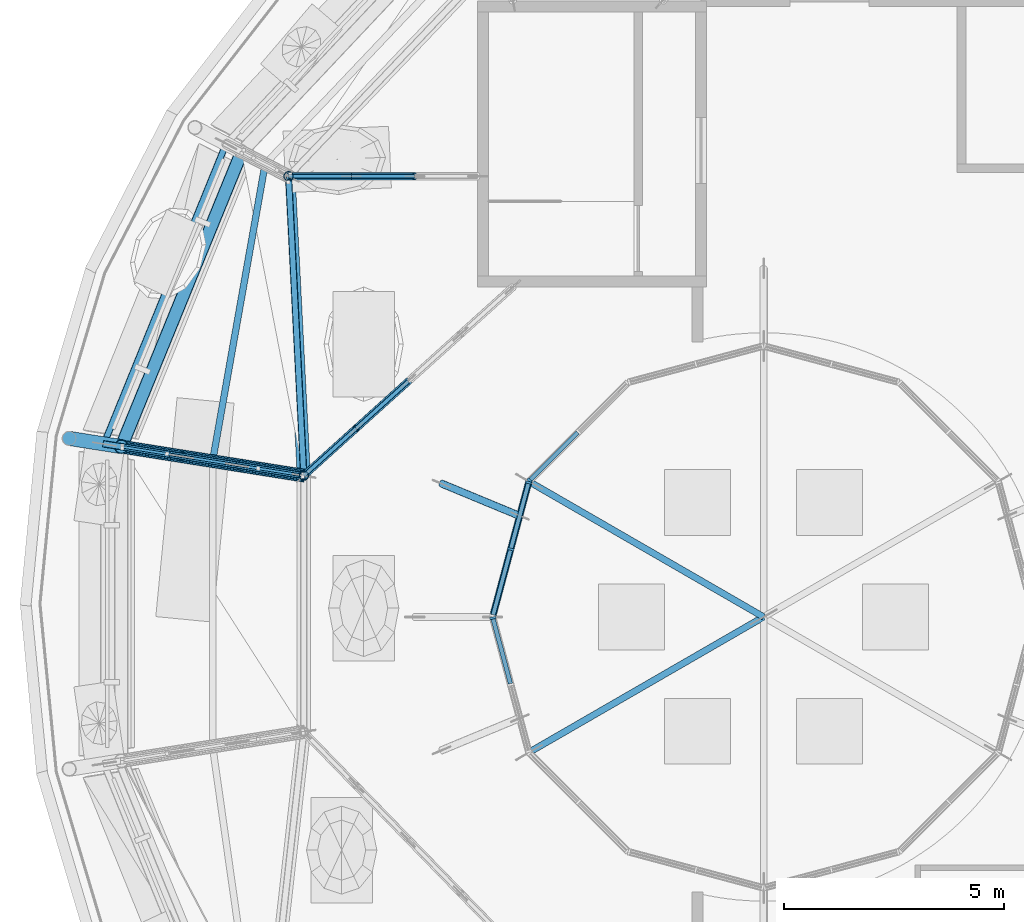
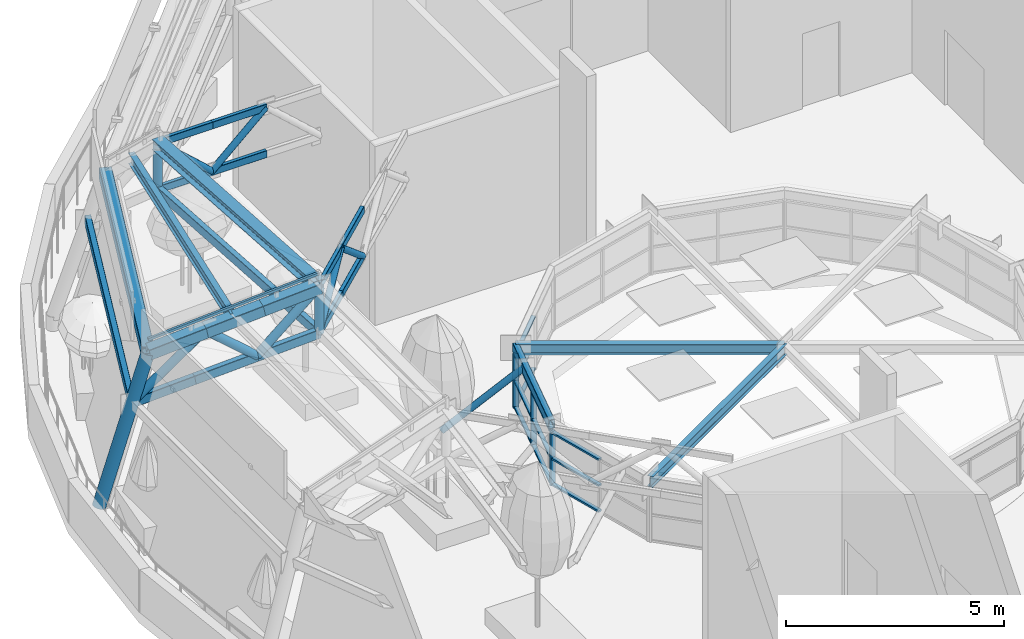
# One storey, part 7 of 40: 45 members, 5 beams, 4 elements without a shape of their own.
"""IFC4 building model written with IfcOpenShell, lengths in metres."""

from ifc_helpers import new_model, si_unit, direction, frame, origin, origin_2d, place, context, subcontext, project, spatial, rectangle, hollow_rectangle, hollow_circle, i_section, extrude, material, material_profile, profile_set, type_object, element, aggregate, save


model = new_model("IFC4")

# Units and contexts
model_context = context("Model", 3, precision=1e-05, world=origin(), true_north=direction((0.0, 1.0)))
body_context = subcontext(model_context, "Body", "Model", "MODEL_VIEW")
ifc_project = project(units=[si_unit("LENGTHUNIT", "METRE"), si_unit("AREAUNIT", "SQUARE_METRE"), si_unit("VOLUMEUNIT", "CUBIC_METRE"), si_unit("PLANEANGLEUNIT", "RADIAN"), si_unit("MASSUNIT", "GRAM", prefix="KILO")], contexts=[model_context])

# Site, building, storey
site_placement = place(None, origin())
site = spatial("IfcSite", under=ifc_project, at=site_placement, CompositionType="ELEMENT")
building_placement = place(site_placement, origin())
building = spatial("IfcBuilding", under=site, at=building_placement, Name="Taillehof Tower", CompositionType="ELEMENT")
storey_placement = place(building_placement, frame((0.0, 0.0, 275.199951171875)))
storey = spatial("IfcBuildingStorey", under=building, at=storey_placement, Name="L77", CompositionType="ELEMENT", Elevation=275.199951171875)

# Beam
ifc_material_1 = material(Name="Steel S460M", Category="steel")
ifc_material_profile_1 = material_profile(ifc_material_1, i_section(OverallWidth=0.300048828125, OverallDepth=0.2900390625, WebThickness=0.008544921875, FlangeThickness=0.013916015625, FilletRadius=0.027099609375, at=origin_2d()), Name="HEA 300")
ifc_profile_set_1 = profile_set([ifc_material_profile_1], Name="Steel S460M")
beam_type_1 = type_object("IfcBeamType", Name="Canopy apex ring beam HEA 300", PredefinedType="BEAM", material=ifc_profile_set_1)
beam_1_placement = place(storey_placement, frame((-18.79833984375, 10.018310546875, 5.10009765625), z_axis=(0.050911469236, -0.998703170266, 0.0), x_axis=(0.998703170266, 0.050911469236, 0.0)))
element("IfcBeam", 1, at=beam_1_placement, inside=storey, type_object=beam_type_1, Name="Canopy ring beam CR26", PredefinedType="BEAM", context=body_context, shape_type="SweptSolid", body=[
    extrude(i_section(OverallWidth=0.300048828125, OverallDepth=0.2900390625, WebThickness=0.008544921875, FlangeThickness=0.013916015625, FilletRadius=0.027099609375, at=origin_2d()), origin(), (0.0, 0.0, 1.0), 6.814208984375),
])

# Curtain wall, member
ifc_material_2 = material(Name="Aluminium glazing bars with clear laminated safety glass", Category="aluminium")
curtain_wall_type_1 = type_object("IfcCurtainWallType", Name="Canopy glazing", PredefinedType="NOTDEFINED", material=ifc_material_2)
curtain_wall_1_placement = place(storey_placement, origin())
curtain_wall_1 = element("IfcCurtainWall", 2, at=curtain_wall_1_placement, inside=storey, type_object=curtain_wall_type_1, Name="Canopy glazing 3", PredefinedType="NOTDEFINED")
ifc_material_3 = material(Name="Aluminium glazing bar", Category="aluminium")
ifc_material_profile_2 = material_profile(ifc_material_3, rectangle(XDim=0.06005859375, YDim=0.070068359375, at=origin_2d()), Name="AL 60x70")
ifc_profile_set_2 = profile_set([ifc_material_profile_2], Name="Aluminium glazing bar")
member_type_1 = type_object("IfcMemberType", Name="Canopy glazing bar 60x70", PredefinedType="USERDEFINED", material=ifc_profile_set_2)
member_1_placement = place(storey_placement, frame((-22.59912109375, 3.87109375, 4.658203125), z_axis=(0.970199806952, -0.153943774913, 0.187119343616), x_axis=(0.156711744977, 0.987644383868, 0.0)))
member_1 = element("IfcMember", 3, at=member_1_placement, type_object=member_type_1, Name="Canopy glazing bar 9", ObjectType="TRANSOM", PredefinedType="USERDEFINED", context=body_context, shape_type="SweptSolid", body=[
    extrude(rectangle(XDim=0.06005859375, YDim=0.070068359375, at=origin_2d()), origin(), (0.0, 0.0, 1.0), 4.275634765625),
])
aggregate(curtain_wall_1, [member_1])

# Members
ifc_material_4 = material(Name="Steel S460M", Category="steel")
ifc_material_profile_3 = material_profile(ifc_material_4, hollow_circle(Radius=0.109619140625, WallThickness=0.012451171875, at=origin_2d()), Name="CHS 219.1x12.5")
ifc_profile_set_3 = profile_set([ifc_material_profile_3], Name="Steel S460M")
member_type_2 = type_object("IfcMemberType", Name="Canopy inner ring post CHS 219.1x12.5", PredefinedType="POST", material=ifc_profile_set_3)
for number, where, z_axis, x_axis, name in (
    (4, (-18.79833984375, 10.018310546875, 3.800048828125), (0.0, 0.0, 1.0), (1.0, 0.0, 0.0), "Canopy ring post RP08"),
    (5, (-18.451416015625, 3.212890625, 3.800048828125), (0.0, 0.0, 1.0), (1.0, 0.0, 0.0), "Canopy ring post RP09"),
):
    element("IfcMember", number, at=place(storey_placement, frame(where, z_axis=z_axis, x_axis=x_axis)), inside=storey, type_object=member_type_2, Name=name, PredefinedType="POST", context=body_context, shape_type="SweptSolid", body=[
        extrude(hollow_circle(Radius=0.109619140625, WallThickness=0.012451171875, at=origin_2d()), origin(), (0.0, 0.0, 1.0), 1.300048828125),
    ])

# Beams
ifc_material_5 = material(Name="Steel S460M", Category="steel")
ifc_material_profile_4 = material_profile(ifc_material_5, hollow_rectangle(XDim=0.14990234375, YDim=0.25, WallThickness=0.010009765625, InnerFilletRadius=0.010009765625, OuterFilletRadius=0.014892578125, at=origin_2d()), Name="RHS 250x150x10")
ifc_profile_set_4 = profile_set([ifc_material_profile_4], Name="Steel S460M")
beam_type_2 = type_object("IfcBeamType", Name="Canopy lower ring beam RHS 250x150x10", PredefinedType="BEAM", material=ifc_profile_set_4)
beam_2_placement = place(storey_placement, frame((-20.218017578125, 10.756103515625, 3.0), z_axis=(-0.37697888949, -0.926221850789, 0.0), x_axis=(0.926221850789, -0.37697888949, 0.0)))
element("IfcBeam", 6, at=beam_2_placement, inside=storey, type_object=beam_type_2, Name="Canopy lower ring beam CB08", PredefinedType="BEAM", context=body_context, shape_type="SweptSolid", body=[
    extrude(hollow_rectangle(XDim=0.14990234375, YDim=0.25, WallThickness=0.010009765625, InnerFilletRadius=0.010009765625, OuterFilletRadius=0.014892578125, at=origin_2d()), origin(), (0.0, 0.0, 1.0), 7.365478515625),
])
beam_3_placement = place(storey_placement, frame((-18.79833984375, 10.018310546875, 3.800048828125), z_axis=(0.050911469236, -0.998703170266, 0.0), x_axis=(0.998703170266, 0.050911469236, 0.0)))
element("IfcBeam", 7, at=beam_3_placement, inside=storey, type_object=beam_type_2, Name="Canopy lower ring beam CB26", PredefinedType="BEAM", context=body_context, shape_type="SweptSolid", body=[
    extrude(hollow_rectangle(XDim=0.14990234375, YDim=0.25, WallThickness=0.010009765625, InnerFilletRadius=0.010009765625, OuterFilletRadius=0.014892578125, at=origin_2d()), origin(), (0.0, 0.0, 1.0), 6.814208984375),
])

# Members
ifc_material_6 = material(Name="Steel S460M", Category="steel")
ifc_material_profile_5 = material_profile(ifc_material_6, i_section(OverallWidth=0.14990234375, OverallDepth=0.300048828125, WebThickness=0.007080078125, FlangeThickness=0.0107421875, FilletRadius=0.014892578125, at=origin_2d()), Name="IPE 300")
ifc_profile_set_5 = profile_set([ifc_material_profile_5], Name="Steel S460M")
member_type_3 = type_object("IfcMemberType", Name="Canopy purlin IPE 300", PredefinedType="PURLIN", material=ifc_profile_set_5)
member_2_placement = place(storey_placement, frame((-19.33056640625, 10.294921875, 4.699951171875), z_axis=(-0.174159010109, -0.984717542851, 0.0), x_axis=(0.984717542851, -0.174159010109, 0.0)))
element("IfcMember", 8, at=member_2_placement, inside=storey, type_object=member_type_3, Name="Canopy purlin CP08", PredefinedType="PURLIN", context=body_context, shape_type="SweptSolid", body=[
    extrude(i_section(OverallWidth=0.14990234375, OverallDepth=0.300048828125, WebThickness=0.007080078125, FlangeThickness=0.0107421875, FilletRadius=0.014892578125, at=origin_2d()), origin(), (0.0, 0.0, 1.0), 6.857666015625),
])
ifc_material_7 = material(Name="Steel S460M", Category="steel")
ifc_material_profile_6 = material_profile(ifc_material_7, hollow_rectangle(XDim=0.300048828125, YDim=0.300048828125, WallThickness=0.012451171875, InnerFilletRadius=0.012451171875, OuterFilletRadius=0.018798828125, at=origin_2d()), Name="RHS 300x300x12.5")
ifc_profile_set_6 = profile_set([ifc_material_profile_6], Name="Steel S460M")
member_type_4 = type_object("IfcMemberType", Name="Canopy rafter RHS 300x300x12.5", PredefinedType="RAFTER", material=ifc_profile_set_6)
member_3_placement = place(storey_placement, frame((-22.599365234375, 3.871337890625, 4.300048828125), z_axis=(0.97019493593, -0.154018231927, 0.187083325099), x_axis=(0.156786445822, 0.987632528022, 0.0)))
element("IfcMember", 9, at=member_3_placement, inside=storey, type_object=member_type_4, Name="Canopy rafter 09 top chord 1", PredefinedType="RAFTER", context=body_context, shape_type="SweptSolid", body=[
    extrude(hollow_rectangle(XDim=0.300048828125, YDim=0.300048828125, WallThickness=0.012451171875, InnerFilletRadius=0.012451171875, OuterFilletRadius=0.018798828125, at=origin_2d()), origin(), (0.0, 0.0, 1.0), 1.425048828125),
])
member_4_placement = place(storey_placement, frame((-21.216796875, 3.65185546875, 4.566650390625), z_axis=(0.970173894871, -0.153987699769, 0.18721752597), x_axis=(0.156759444883, 0.987636814036, 0.0)))
element("IfcMember", 10, at=member_4_placement, inside=storey, type_object=member_type_4, Name="Canopy rafter 09 top chord 2", PredefinedType="RAFTER", context=body_context, shape_type="SweptSolid", body=[
    extrude(hollow_rectangle(XDim=0.300048828125, YDim=0.300048828125, WallThickness=0.012451171875, InnerFilletRadius=0.012451171875, OuterFilletRadius=0.018798828125, at=origin_2d()), origin(), (0.0, 0.0, 1.0), 1.42529296875),
])
member_5_placement = place(storey_placement, frame((-19.833984375, 3.432373046875, 4.83349609375), z_axis=(0.97019493593, -0.154018231927, 0.187083325099), x_axis=(0.156786445822, 0.987632528022, 0.0)))
element("IfcMember", 11, at=member_5_placement, inside=storey, type_object=member_type_4, Name="Canopy rafter 09 top chord 3", PredefinedType="RAFTER", context=body_context, shape_type="SweptSolid", body=[
    extrude(hollow_rectangle(XDim=0.300048828125, YDim=0.300048828125, WallThickness=0.012451171875, InnerFilletRadius=0.012451171875, OuterFilletRadius=0.018798828125, at=origin_2d()), origin(), (0.0, 0.0, 1.0), 1.425048828125),
])
ifc_material_8 = material(Name="Steel S460M", Category="steel")
ifc_material_profile_7 = material_profile(ifc_material_8, hollow_rectangle(XDim=0.14990234375, YDim=0.25, WallThickness=0.010009765625, InnerFilletRadius=0.010009765625, OuterFilletRadius=0.014892578125, at=origin_2d()), Name="RHS 250x150x10")
ifc_profile_set_7 = profile_set([ifc_material_profile_7], Name="Steel S460M")
member_type_5 = type_object("IfcMemberType", Name="Canopy rafter bottom chord RHS 250x150x10", PredefinedType="CHORD", material=ifc_profile_set_7)
for number, where, z_axis, x_axis, name in (
    (12, (-22.99462890625, 3.93408203125, 3.0), (0.973028310893, -0.154511185915, 0.171295649765), (0.156829172664, 0.987625744197, 0.0), "Canopy rafter 09 bottom chord 1"),
    (13, (-21.480224609375, 3.693603515625, 3.2666015625), (0.973025725093, -0.154353911574, 0.171452058283), (0.156673865429, 0.987650393556, 0.0), "Canopy rafter 09 bottom chord 2"),
    (14, (-19.9658203125, 3.453369140625, 3.533447265625), (0.973028310893, -0.154511185915, 0.171295649765), (0.156829172664, 0.987625744197, 0.0), "Canopy rafter 09 bottom chord 3"),
):
    element("IfcMember", number, at=place(storey_placement, frame(where, z_axis=z_axis, x_axis=x_axis)), inside=storey, type_object=member_type_5, Name=name, PredefinedType="CHORD", context=body_context, shape_type="SweptSolid", body=[
        extrude(hollow_rectangle(XDim=0.14990234375, YDim=0.25, WallThickness=0.010009765625, InnerFilletRadius=0.010009765625, OuterFilletRadius=0.014892578125, at=origin_2d()), origin(), (0.0, 0.0, 1.0), 1.556396484375),
    ])
ifc_material_9 = material(Name="Steel S460M", Category="steel")
ifc_material_profile_8 = material_profile(ifc_material_9, hollow_circle(Radius=0.109619140625, WallThickness=0.012451171875, at=origin_2d()), Name="CHS 219.1x12.5")
ifc_profile_set_8 = profile_set([ifc_material_profile_8], Name="Steel S460M")
member_type_6 = type_object("IfcMemberType", Name="Canopy rafter diagonal CHS 219.1x12.5", PredefinedType="BRACE", material=ifc_profile_set_8)
member_6_placement = place(storey_placement, frame((-22.99462890625, 3.93408203125, 3.0), z_axis=(0.744996240162, -0.118266362761, 0.656501081175), x_axis=(0.156784343343, 0.987632861787, 0.0)))
element("IfcMember", 15, at=member_6_placement, inside=storey, type_object=member_type_6, Name="Canopy rafter 09 diagonal 1", PredefinedType="BRACE", context=body_context, shape_type="SweptSolid", body=[
    extrude(hollow_circle(Radius=0.109619140625, WallThickness=0.012451171875, at=origin_2d()), origin(), (0.0, 0.0, 1.0), 2.386474609375),
])
member_7_placement = place(storey_placement, frame((-21.216796875, 3.65185546875, 4.566650390625), z_axis=(0.765320433803, -0.121429647284, -0.632091349699), x_axis=(0.156704873248, 0.987645474196, 0.0)))
element("IfcMember", 16, at=member_7_placement, inside=storey, type_object=member_type_6, Name="Canopy rafter 09 diagonal 2", PredefinedType="BRACE", context=body_context, shape_type="SweptSolid", body=[
    extrude(hollow_circle(Radius=0.109619140625, WallThickness=0.012451171875, at=origin_2d()), origin(), (0.0, 0.0, 1.0), 1.634521484375),
])
member_8_placement = place(storey_placement, frame((-19.9658203125, 3.453369140625, 3.533447265625), z_axis=(0.690821821367, -0.109698451402, 0.714654784412), x_axis=(0.156829172664, 0.987625744197, 0.0)))
element("IfcMember", 17, at=member_8_placement, inside=storey, type_object=member_type_6, Name="Canopy rafter 09 diagonal 3", PredefinedType="BRACE", context=body_context, shape_type="SweptSolid", body=[
    extrude(hollow_circle(Radius=0.109619140625, WallThickness=0.012451171875, at=origin_2d()), origin(), (0.0, 0.0, 1.0), 2.192138671875),
])
ifc_material_10 = material(Name="Steel S460M", Category="steel")
ifc_material_profile_9 = material_profile(ifc_material_10, hollow_circle(Radius=0.161865234375, WallThickness=0.01611328125, at=origin_2d()), Name="CHS 323.9x16")
ifc_profile_set_9 = profile_set([ifc_material_profile_9], Name="Steel S460M")
member_type_7 = type_object("IfcMemberType", Name="Canopy raking column CHS 323.9x16", PredefinedType="POST", material=ifc_profile_set_9)
member_9_placement = place(storey_placement, frame((-23.78466796875, 4.0595703125, 0.300048828125), z_axis=(0.2838254853, -0.045073007037, 0.957816014656), x_axis=(0.156839984557, 0.987624027272, 0.0)))
element("IfcMember", 18, at=member_9_placement, inside=storey, type_object=member_type_7, Name="Canopy raking column CC09", PredefinedType="POST", context=body_context, shape_type="SweptSolid", body=[
    extrude(hollow_circle(Radius=0.161865234375, WallThickness=0.01611328125, at=origin_2d()), origin(), (0.0, 0.0, 1.0), 4.17626953125),
])

# Beam
ifc_material_11 = material(Name="Steel S460M", Category="steel")
ifc_material_profile_10 = material_profile(ifc_material_11, hollow_rectangle(XDim=0.300048828125, YDim=0.300048828125, WallThickness=0.012451171875, InnerFilletRadius=0.012451171875, OuterFilletRadius=0.018798828125, at=origin_2d()), Name="RHS 300x300x12.5")
ifc_profile_set_10 = profile_set([ifc_material_profile_10], Name="Steel S460M")
beam_type_3 = type_object("IfcBeamType", Name="Canopy ring beam RHS 300x300x12.5", PredefinedType="BEAM", material=ifc_profile_set_10)
beam_4_placement = place(storey_placement, frame((-19.863037109375, 10.571533203125, 4.300048828125), z_axis=(-0.378081107179, -0.925772475501, 0.0), x_axis=(0.925772475501, -0.378081107179, 0.0)))
element("IfcBeam", 19, at=beam_4_placement, inside=storey, type_object=beam_type_3, Name="Canopy ring beam CR08", PredefinedType="BEAM", context=body_context, shape_type="SweptSolid", body=[
    extrude(hollow_rectangle(XDim=0.300048828125, YDim=0.300048828125, WallThickness=0.012451171875, InnerFilletRadius=0.012451171875, OuterFilletRadius=0.018798828125, at=origin_2d()), origin(), (0.0, 0.0, 1.0), 7.2373046875),
])

# Members
ifc_material_12 = material(Name="Steel S460M", Category="steel")
ifc_material_profile_11 = material_profile(ifc_material_12, hollow_rectangle(XDim=0.10009765625, YDim=0.199951171875, WallThickness=0.008056640625, InnerFilletRadius=0.008056640625, OuterFilletRadius=0.011962890625, at=origin_2d()), Name="RHS 200x100x8")
ifc_profile_set_11 = profile_set([ifc_material_profile_11], Name="Steel S460M")
member_type_8 = type_object("IfcMemberType", Name="Canopy spur chord RHS 200x100x8", PredefinedType="CHORD", material=ifc_profile_set_11)
for number, where, z_axis, x_axis, name in (
    (20, (-18.79833984375, 10.018310546875, 5.10009765625), (1.0, 0.0, 0.0), (0.0, 1.0, 0.0), "Canopy rafter S08 top chord 1"),
    (21, (-18.79833984375, 10.018310546875, 3.800048828125), (1.0, 0.0, 0.0), (0.0, 1.0, 0.0), "Canopy rafter S08 bottom chord 1"),
):
    element("IfcMember", number, at=place(storey_placement, frame(where, z_axis=z_axis, x_axis=x_axis)), inside=storey, type_object=member_type_8, Name=name, PredefinedType="CHORD", context=body_context, shape_type="SweptSolid", body=[
        extrude(hollow_rectangle(XDim=0.10009765625, YDim=0.199951171875, WallThickness=0.008056640625, InnerFilletRadius=0.008056640625, OuterFilletRadius=0.011962890625, at=origin_2d()), origin(), (0.0, 0.0, 1.0), 1.432861328125),
    ])
for number, where, z_axis, x_axis, name in (
    (22, (-17.365478515625, 10.018310546875, 5.10009765625), (1.0, 0.0, 0.0), (0.0, 1.0, 0.0), "Canopy rafter S08 top chord 2"),
    (23, (-17.365478515625, 10.018310546875, 3.800048828125), (1.0, 0.0, 0.0), (0.0, 1.0, 0.0), "Canopy rafter S08 bottom chord 2"),
):
    element("IfcMember", number, at=place(storey_placement, frame(where, z_axis=z_axis, x_axis=x_axis)), inside=storey, type_object=member_type_8, Name=name, PredefinedType="CHORD", context=body_context, shape_type="SweptSolid", body=[
        extrude(hollow_rectangle(XDim=0.10009765625, YDim=0.199951171875, WallThickness=0.008056640625, InnerFilletRadius=0.008056640625, OuterFilletRadius=0.011962890625, at=origin_2d()), origin(), (0.0, 0.0, 1.0), 1.4326171875),
    ])
for number, where, z_axis, x_axis, name in (
    (24, (-18.451416015625, 3.212890625, 5.10009765625), (0.742420885926, 0.669933749068, 0.0), (-0.669933749068, 0.742420885926, 0.0), "Canopy rafter S09 top chord 1"),
    (25, (-18.451416015625, 3.212890625, 3.800048828125), (0.742420885926, 0.669933749068, 0.0), (-0.669933749068, 0.742420885926, 0.0), "Canopy rafter S09 bottom chord 1"),
):
    element("IfcMember", number, at=place(storey_placement, frame(where, z_axis=z_axis, x_axis=x_axis)), inside=storey, type_object=member_type_8, Name=name, PredefinedType="CHORD", context=body_context, shape_type="SweptSolid", body=[
        extrude(hollow_rectangle(XDim=0.10009765625, YDim=0.199951171875, WallThickness=0.008056640625, InnerFilletRadius=0.008056640625, OuterFilletRadius=0.011962890625, at=origin_2d()), origin(), (0.0, 0.0, 1.0), 1.599853515625),
    ])
for number, where, z_axis, x_axis, name in (
    (26, (-17.263671875, 4.28466796875, 5.10009765625), (0.7424893649, 0.669857852839, 0.0), (-0.669857852839, 0.7424893649, 0.0), "Canopy rafter S09 top chord 2"),
    (27, (-17.263671875, 4.28466796875, 3.800048828125), (0.7424893649, 0.669857852839, 0.0), (-0.669857852839, 0.7424893649, 0.0), "Canopy rafter S09 bottom chord 2"),
):
    element("IfcMember", number, at=place(storey_placement, frame(where, z_axis=z_axis, x_axis=x_axis)), inside=storey, type_object=member_type_8, Name=name, PredefinedType="CHORD", context=body_context, shape_type="SweptSolid", body=[
        extrude(hollow_rectangle(XDim=0.10009765625, YDim=0.199951171875, WallThickness=0.008056640625, InnerFilletRadius=0.008056640625, OuterFilletRadius=0.011962890625, at=origin_2d()), origin(), (0.0, 0.0, 1.0), 1.60009765625),
    ])
ifc_material_13 = material(Name="Steel S460M", Category="steel")
ifc_material_profile_12 = material_profile(ifc_material_13, hollow_circle(Radius=0.084228515625, WallThickness=0.008056640625, at=origin_2d()), Name="CHS 168.3x8")
ifc_profile_set_12 = profile_set([ifc_material_profile_12], Name="Steel S460M")
member_type_9 = type_object("IfcMemberType", Name="Canopy spur diagonal CHS 168.3x8", PredefinedType="BRACE", material=ifc_profile_set_12)
member_10_placement = place(storey_placement, frame((-18.79833984375, 10.018310546875, 5.10009765625), z_axis=(0.740596354346, 0.0, -0.671950176672), x_axis=(0.0, 1.0, 0.0)))
element("IfcMember", 28, at=member_10_placement, inside=storey, type_object=member_type_9, Name="Canopy rafter S08 diagonal 1", PredefinedType="BRACE", context=body_context, shape_type="SweptSolid", body=[
    extrude(hollow_circle(Radius=0.084228515625, WallThickness=0.008056640625, at=origin_2d()), origin(), (0.0, 0.0, 1.0), 1.934814453125),
])
member_11_placement = place(storey_placement, frame((-17.365478515625, 10.018310546875, 3.800048828125), z_axis=(0.740539370404, 0.0, 0.672012976721), x_axis=(0.0, 1.0, 0.0)))
element("IfcMember", 29, at=member_11_placement, inside=storey, type_object=member_type_9, Name="Canopy rafter S08 diagonal 2", PredefinedType="BRACE", context=body_context, shape_type="SweptSolid", body=[
    extrude(hollow_circle(Radius=0.084228515625, WallThickness=0.008056640625, at=origin_2d()), origin(), (0.0, 0.0, 1.0), 1.9345703125),
])
for number, where, z_axis, x_axis, name in (
    (30, (-18.451416015625, 3.212890625, 3.800048828125), (0.576169698547, 0.519914692009, 0.630648231195), (-0.669933749068, 0.742420885926, 0.0), "Canopy rafter S09 diagonal 1"),
    (31, (-17.263671875, 4.28466796875, 5.10009765625), (0.576248806126, 0.519879214734, -0.630605197826), (-0.669857852839, 0.7424893649, 0.0), "Canopy rafter S09 diagonal 2"),
):
    element("IfcMember", number, at=place(storey_placement, frame(where, z_axis=z_axis, x_axis=x_axis)), inside=storey, type_object=member_type_9, Name=name, PredefinedType="BRACE", context=body_context, shape_type="SweptSolid", body=[
        extrude(hollow_circle(Radius=0.084228515625, WallThickness=0.008056640625, at=origin_2d()), origin(), (0.0, 0.0, 1.0), 2.0615234375),
    ])
ifc_material_14 = material(Name="Steel S460M", Category="steel")
ifc_material_profile_13 = material_profile(ifc_material_14, i_section(OverallWidth=0.14990234375, OverallDepth=0.300048828125, WebThickness=0.007080078125, FlangeThickness=0.0107421875, FilletRadius=0.014892578125, at=origin_2d()), Name="IPE 300")
ifc_profile_set_13 = profile_set([ifc_material_profile_13], Name="Steel S460M")
member_type_10 = type_object("IfcMemberType", Name="Lantern rib IPE 300", PredefinedType="BRACE", material=ifc_profile_set_13)
for number, where, z_axis, x_axis, name in (
    (32, (-13.334716796875, 3.080078125, 1.650146484375), (0.866019924591, -0.500009490121, 0.0), (0.500009490121, 0.866019924591, 0.0), "Lantern rib LB03"),
    (33, (-13.334716796875, -3.080078125, 1.650146484375), (0.866019924591, 0.500009490121, 0.0), (-0.500009490121, 0.866019924591, 0.0), "Lantern rib LB04"),
):
    element("IfcMember", number, at=place(storey_placement, frame(where, z_axis=z_axis, x_axis=x_axis)), inside=storey, type_object=member_type_10, Name=name, PredefinedType="BRACE", context=body_context, shape_type="SweptSolid", body=[
        extrude(i_section(OverallWidth=0.14990234375, OverallDepth=0.300048828125, WebThickness=0.007080078125, FlangeThickness=0.0107421875, FilletRadius=0.014892578125, at=origin_2d()), origin(), (0.0, 0.0, 1.0), 6.16015625),
    ])

# Beam
ifc_material_15 = material(Name="Steel S460M", Category="steel")
ifc_material_profile_14 = material_profile(ifc_material_15, hollow_rectangle(XDim=0.14990234375, YDim=0.25, WallThickness=0.010009765625, InnerFilletRadius=0.010009765625, OuterFilletRadius=0.014892578125, at=origin_2d()), Name="RHS 250x150x10")
ifc_profile_set_14 = profile_set([ifc_material_profile_14], Name="Steel S460M")
beam_type_4 = type_object("IfcBeamType", Name="Lantern ring beam RHS 250x150x10", PredefinedType="BEAM", material=ifc_profile_set_14)
beam_5_placement = place(storey_placement, frame((-13.334716796875, 3.080078125, 1.675048828125), z_axis=(-0.258787112499, -0.965934382039, 0.0), x_axis=(0.965934382039, -0.258787112499, 0.0)))
element("IfcBeam", 34, at=beam_5_placement, inside=storey, type_object=beam_type_4, Name="Lantern ring beam LR06", PredefinedType="BEAM", context=body_context, shape_type="SweptSolid", body=[
    extrude(hollow_rectangle(XDim=0.14990234375, YDim=0.25, WallThickness=0.010009765625, InnerFilletRadius=0.010009765625, OuterFilletRadius=0.014892578125, at=origin_2d()), origin(), (0.0, 0.0, 1.0), 3.188720703125),
])

# Member
ifc_material_16 = material(Name="Steel S460M", Category="steel")
ifc_material_profile_15 = material_profile(ifc_material_16, hollow_circle(Radius=0.084228515625, WallThickness=0.008056640625, at=origin_2d()), Name="CHS 168.3x8")
ifc_profile_set_15 = profile_set([ifc_material_profile_15], Name="Steel S460M")
member_type_11 = type_object("IfcMemberType", Name="Lantern strut CHS 168.3x8", PredefinedType="STRUT", material=ifc_profile_set_15)
member_12_placement = place(storey_placement, frame((-15.31982421875, 3.031982421875, 0.064453125), z_axis=(0.708027740233, -0.293299347212, 0.642395681793), x_axis=(0.382710891507, 0.923868158084, 0.0)))
element("IfcMember", 35, at=member_12_placement, inside=storey, type_object=member_type_11, Name="Lantern strut LS04", PredefinedType="STRUT", context=body_context, shape_type="SweptSolid", body=[
    extrude(hollow_circle(Radius=0.084228515625, WallThickness=0.008056640625, at=origin_2d()), origin(), (0.0, 0.0, 1.0), 2.507080078125),
])

# Curtain wall, member
ifc_material_17 = material(Name="Aluminium curtain wall with Clear low-emissivity double glazing", Category="aluminium")
curtain_wall_type_2 = type_object("IfcCurtainWallType", Name="Roof lantern curtain wall", PredefinedType="USERDEFINED", material=ifc_material_17)
curtain_wall_2_placement = place(storey_placement, origin())
curtain_wall_2 = element("IfcCurtainWall", 36, at=curtain_wall_2_placement, inside=storey, type_object=curtain_wall_type_2, Name="Roof lantern bay 5", ObjectType="WINDOW WALL", PredefinedType="USERDEFINED")
ifc_material_18 = material(Name="Aluminium mullion", Category="aluminium")
ifc_material_profile_16 = material_profile(ifc_material_18, rectangle(XDim=0.139892578125, YDim=0.050048828125, at=origin_2d()), Name="AL 50x140")
ifc_profile_set_16 = profile_set([ifc_material_profile_16], Name="Aluminium mullion")
member_type_12 = type_object("IfcMemberType", Name="Roof lantern mullion 50x140", PredefinedType="MULLION", material=ifc_profile_set_16)
member_13_placement = place(storey_placement, frame((-13.317138671875, 3.09765625, 0.0), z_axis=(0.0, 0.0, 1.0), x_axis=(0.707106781187, -0.707106781187, 0.0)))
member_13 = element("IfcMember", 37, at=member_13_placement, type_object=member_type_12, Name="CT705 mullion 3", PredefinedType="MULLION", context=body_context, shape_type="SweptSolid", body=[
    extrude(rectangle(XDim=0.139892578125, YDim=0.050048828125, at=origin_2d()), origin(), (0.0, 0.0, 1.0), 1.5),
])

# Curtain wall, members
curtain_wall_3_placement = place(storey_placement, origin())
curtain_wall_3 = element("IfcCurtainWall", 38, at=curtain_wall_3_placement, inside=storey, type_object=curtain_wall_type_2, Name="Roof lantern bay 6", ObjectType="WINDOW WALL", PredefinedType="USERDEFINED")
member_14_placement = place(storey_placement, frame((-13.34130859375, 3.055908203125, 0.0), z_axis=(0.0, 0.0, 1.0), x_axis=(0.965925826289, -0.258819045103, 0.0)))
member_14 = element("IfcMember", 39, at=member_14_placement, type_object=member_type_12, Name="CT706 mullion 1", PredefinedType="MULLION", context=body_context, shape_type="SweptSolid", body=[
    extrude(rectangle(XDim=0.139892578125, YDim=0.050048828125, at=origin_2d()), origin(), (0.0, 0.0, 1.0), 1.5),
])
member_15_placement = place(storey_placement, frame((-13.747314453125, 1.5400390625, 0.0), z_axis=(0.0, 0.0, 1.0), x_axis=(0.965925826289, -0.258819045103, 0.0)))
member_15 = element("IfcMember", 40, at=member_15_placement, type_object=member_type_12, Name="CT706 mullion 2", PredefinedType="MULLION", context=body_context, shape_type="SweptSolid", body=[
    extrude(rectangle(XDim=0.139892578125, YDim=0.050048828125, at=origin_2d()), origin(), (0.0, 0.0, 1.0), 1.5),
])

# Curtain wall, member
curtain_wall_4_placement = place(storey_placement, origin())
curtain_wall_4 = element("IfcCurtainWall", 41, at=curtain_wall_4_placement, inside=storey, type_object=curtain_wall_type_2, Name="Roof lantern bay 7", ObjectType="WINDOW WALL", PredefinedType="USERDEFINED")
member_16_placement = place(storey_placement, frame((-14.153564453125, -0.024169921875, 0.0), z_axis=(0.0, 0.0, 1.0), x_axis=(0.965925826289, 0.258819045103, 0.0)))
member_16 = element("IfcMember", 42, at=member_16_placement, type_object=member_type_12, Name="CT707 mullion 1", PredefinedType="MULLION", context=body_context, shape_type="SweptSolid", body=[
    extrude(rectangle(XDim=0.139892578125, YDim=0.050048828125, at=origin_2d()), origin(), (0.0, 0.0, 1.0), 1.5),
])

# Member
ifc_material_19 = material(Name="Aluminium transom", Category="aluminium")
ifc_material_profile_17 = material_profile(ifc_material_19, rectangle(XDim=0.10009765625, YDim=0.050048828125, at=origin_2d()), Name="AL 100x50")
ifc_profile_set_17 = profile_set([ifc_material_profile_17], Name="Aluminium transom")
member_type_13 = type_object("IfcMemberType", Name="Roof lantern transom 100x50", PredefinedType="USERDEFINED", material=ifc_profile_set_17)
member_17_placement = place(storey_placement, frame((-12.22509765625, 4.189697265625, 0.025146484375), z_axis=(-0.707026432709, -0.707187120535, 0.0), x_axis=(0.707187120535, -0.707026432709, 0.0)))
member_17 = element("IfcMember", 43, at=member_17_placement, type_object=member_type_13, Name="CT705 transom 2.1", ObjectType="TRANSOM", PredefinedType="USERDEFINED", context=body_context, shape_type="SweptSolid", body=[
    extrude(rectangle(XDim=0.10009765625, YDim=0.050048828125, at=origin_2d()), origin(), (0.0, 0.0, 1.0), 1.519287109375),
])

member_18_placement = place(storey_placement, frame((-12.22509765625, 4.189697265625, 0.75), z_axis=(-0.707026432709, -0.707187120535, 0.0), x_axis=(0.707187120535, -0.707026432709, 0.0)))
member_18 = element("IfcMember", 44, at=member_18_placement, type_object=member_type_13, Name="CT705 transom 2.2", ObjectType="TRANSOM", PredefinedType="USERDEFINED", context=body_context, shape_type="SweptSolid", body=[
    extrude(rectangle(XDim=0.10009765625, YDim=0.050048828125, at=origin_2d()), origin(), (0.0, 0.0, 1.0), 1.519287109375),
])

member_19_placement = place(storey_placement, frame((-12.22509765625, 4.189697265625, 1.47509765625), z_axis=(-0.707026432709, -0.707187120535, 0.0), x_axis=(0.707187120535, -0.707026432709, 0.0)))
member_19 = element("IfcMember", 45, at=member_19_placement, type_object=member_type_13, Name="CT705 transom 2.3", ObjectType="TRANSOM", PredefinedType="USERDEFINED", context=body_context, shape_type="SweptSolid", body=[
    extrude(rectangle(XDim=0.10009765625, YDim=0.050048828125, at=origin_2d()), origin(), (0.0, 0.0, 1.0), 1.519287109375),
])

aggregate(curtain_wall_2, [member_13, member_17, member_18, member_19])

member_20_placement = place(storey_placement, frame((-13.34765625, 3.03173828125, 0.025146484375), z_axis=(-0.258872629048, -0.965911466921, 0.0), x_axis=(0.965911466921, -0.258872629048, 0.0)))
member_20 = element("IfcMember", 46, at=member_20_placement, type_object=member_type_13, Name="CT706 transom 1.1", ObjectType="TRANSOM", PredefinedType="USERDEFINED", context=body_context, shape_type="SweptSolid", body=[
    extrude(rectangle(XDim=0.10009765625, YDim=0.050048828125, at=origin_2d()), origin(), (0.0, 0.0, 1.0), 1.519287109375),
])

member_21_placement = place(storey_placement, frame((-13.34765625, 3.03173828125, 0.75), z_axis=(-0.258872629048, -0.965911466921, 0.0), x_axis=(0.965911466921, -0.258872629048, 0.0)))
member_21 = element("IfcMember", 47, at=member_21_placement, type_object=member_type_13, Name="CT706 transom 1.2", ObjectType="TRANSOM", PredefinedType="USERDEFINED", context=body_context, shape_type="SweptSolid", body=[
    extrude(rectangle(XDim=0.10009765625, YDim=0.050048828125, at=origin_2d()), origin(), (0.0, 0.0, 1.0), 1.519287109375),
])

member_22_placement = place(storey_placement, frame((-13.34765625, 3.03173828125, 1.47509765625), z_axis=(-0.258872629048, -0.965911466921, 0.0), x_axis=(0.965911466921, -0.258872629048, 0.0)))
member_22 = element("IfcMember", 48, at=member_22_placement, type_object=member_type_13, Name="CT706 transom 1.3", ObjectType="TRANSOM", PredefinedType="USERDEFINED", context=body_context, shape_type="SweptSolid", body=[
    extrude(rectangle(XDim=0.10009765625, YDim=0.050048828125, at=origin_2d()), origin(), (0.0, 0.0, 1.0), 1.519287109375),
])

member_23_placement = place(storey_placement, frame((-13.75390625, 1.515869140625, 0.025146484375), z_axis=(-0.25872269774, -0.965951637337, 0.0), x_axis=(0.965951637337, -0.25872269774, 0.0)))
member_23 = element("IfcMember", 49, at=member_23_placement, type_object=member_type_13, Name="CT706 transom 2.1", ObjectType="TRANSOM", PredefinedType="USERDEFINED", context=body_context, shape_type="SweptSolid", body=[
    extrude(rectangle(XDim=0.10009765625, YDim=0.050048828125, at=origin_2d()), origin(), (0.0, 0.0, 1.0), 1.519287109375),
])

member_24_placement = place(storey_placement, frame((-13.75390625, 1.515869140625, 0.75), z_axis=(-0.25872269774, -0.965951637337, 0.0), x_axis=(0.965951637337, -0.25872269774, 0.0)))
member_24 = element("IfcMember", 50, at=member_24_placement, type_object=member_type_13, Name="CT706 transom 2.2", ObjectType="TRANSOM", PredefinedType="USERDEFINED", context=body_context, shape_type="SweptSolid", body=[
    extrude(rectangle(XDim=0.10009765625, YDim=0.050048828125, at=origin_2d()), origin(), (0.0, 0.0, 1.0), 1.519287109375),
])

member_25_placement = place(storey_placement, frame((-13.75390625, 1.515869140625, 1.47509765625), z_axis=(-0.25872269774, -0.965951637337, 0.0), x_axis=(0.965951637337, -0.25872269774, 0.0)))
member_25 = element("IfcMember", 51, at=member_25_placement, type_object=member_type_13, Name="CT706 transom 2.3", ObjectType="TRANSOM", PredefinedType="USERDEFINED", context=body_context, shape_type="SweptSolid", body=[
    extrude(rectangle(XDim=0.10009765625, YDim=0.050048828125, at=origin_2d()), origin(), (0.0, 0.0, 1.0), 1.519287109375),
])

aggregate(curtain_wall_3, [member_14, member_15, member_20, member_21, member_22, member_23, member_24, member_25])

member_26_placement = place(storey_placement, frame((-14.14697265625, -0.04833984375, 0.025146484375), z_axis=(0.25872269774, -0.965951637337, 0.0), x_axis=(0.965951637337, 0.25872269774, 0.0)))
member_26 = element("IfcMember", 52, at=member_26_placement, type_object=member_type_13, Name="CT707 transom 1.1", ObjectType="TRANSOM", PredefinedType="USERDEFINED", context=body_context, shape_type="SweptSolid", body=[
    extrude(rectangle(XDim=0.10009765625, YDim=0.050048828125, at=origin_2d()), origin(), (0.0, 0.0, 1.0), 1.519287109375),
])

member_27_placement = place(storey_placement, frame((-14.14697265625, -0.04833984375, 0.75), z_axis=(0.25872269774, -0.965951637337, 0.0), x_axis=(0.965951637337, 0.25872269774, 0.0)))
member_27 = element("IfcMember", 53, at=member_27_placement, type_object=member_type_13, Name="CT707 transom 1.2", ObjectType="TRANSOM", PredefinedType="USERDEFINED", context=body_context, shape_type="SweptSolid", body=[
    extrude(rectangle(XDim=0.10009765625, YDim=0.050048828125, at=origin_2d()), origin(), (0.0, 0.0, 1.0), 1.519287109375),
])

member_28_placement = place(storey_placement, frame((-14.14697265625, -0.04833984375, 1.47509765625), z_axis=(0.25872269774, -0.965951637337, 0.0), x_axis=(0.965951637337, 0.25872269774, 0.0)))
member_28 = element("IfcMember", 54, at=member_28_placement, type_object=member_type_13, Name="CT707 transom 1.3", ObjectType="TRANSOM", PredefinedType="USERDEFINED", context=body_context, shape_type="SweptSolid", body=[
    extrude(rectangle(XDim=0.10009765625, YDim=0.050048828125, at=origin_2d()), origin(), (0.0, 0.0, 1.0), 1.519287109375),
])

aggregate(curtain_wall_4, [member_16, member_26, member_27, member_28])

save(model, "model.ifc")
